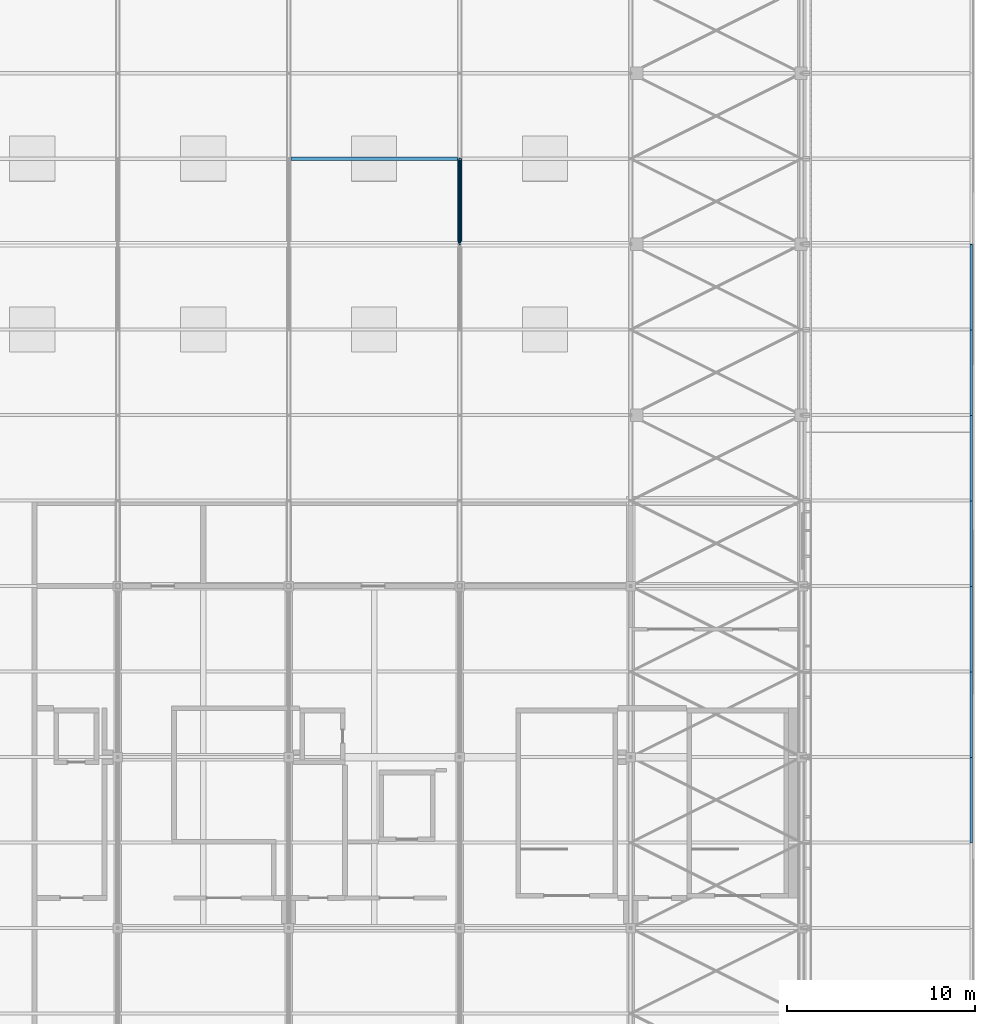
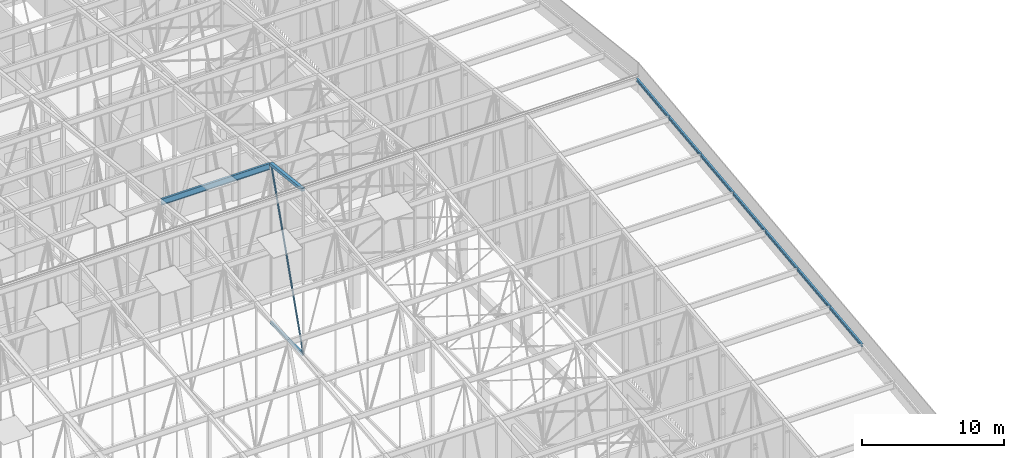
# One storey, part 368 of 500: 11 members.
"""IFC4 building model written with IfcOpenShell, lengths in metres."""

from ifc_helpers import new_model, si_unit, direction, frame, origin, origin_2d, place, context, subcontext, project, spatial, hollow_rectangle, hollow_circle, i_section, extrude, material, material_profile, profile_set, type_object, element, save


model = new_model("IFC4")

# Units and contexts
model_context = context("Model", 3, precision=1e-05, world=origin(), true_north=direction((0.0, 1.0)))
body_context = subcontext(model_context, "Body", "Model", "MODEL_VIEW")
ifc_project = project(units=[si_unit("LENGTHUNIT", "METRE"), si_unit("AREAUNIT", "SQUARE_METRE"), si_unit("VOLUMEUNIT", "CUBIC_METRE"), si_unit("PLANEANGLEUNIT", "RADIAN"), si_unit("MASSUNIT", "GRAM", prefix="KILO")], contexts=[model_context])

# Site, building, storey
site_placement = place(None, origin())
site = spatial("IfcSite", under=ifc_project, at=site_placement, CompositionType="ELEMENT")
building_placement = place(site_placement, origin())
building = spatial("IfcBuilding", under=site, at=building_placement, Name="Shirokan Park Arena", CompositionType="ELEMENT")
storey_placement = place(building_placement, frame((0.0, 0.0, 29.1201171875)))
storey = spatial("IfcBuildingStorey", under=building, at=storey_placement, Name="L06", CompositionType="ELEMENT", Elevation=29.1201171875)

# Members
ifc_material_1 = material(Name="Steel ASTM A500 Grade C", Category="steel")
ifc_material_profile_1 = material_profile(ifc_material_1, hollow_rectangle(XDim=0.152099609375, YDim=0.25390625, WallThickness=0.009521484375, at=origin_2d()), Name="HSS254X152.4X9.5")
ifc_profile_set_1 = profile_set([ifc_material_profile_1], Name="Steel ASTM A500 Grade C")
member_type_1 = type_object("IfcMemberType", Name="Bottom chord HSS254X152.4X9.5", PredefinedType="CHORD", material=ifc_profile_set_1)
member_1_placement = place(storey_placement, frame((127.39990234375, 54.60009765625, 4.677001953125), z_axis=(0.0, 1.0, 0.0), x_axis=(-1.0, 0.0, 0.0)))
element("IfcMember", 1, at=member_1_placement, inside=storey, type_object=member_type_1, Name="Truss T15 bottom chord 15", PredefinedType="CHORD", context=body_context, shape_type="SweptSolid", body=[
    extrude(hollow_rectangle(XDim=0.152099609375, YDim=0.25390625, WallThickness=0.009521484375, at=origin_2d()), origin(), (0.0, 0.0, 1.0), 4.5498046875),
])
ifc_material_2 = material(Name="Steel ASTM A992", Category="steel")
ifc_material_profile_2 = material_profile(ifc_material_2, i_section(OverallWidth=0.166015625, OverallDepth=0.528076171875, WebThickness=0.009765625, FlangeThickness=0.013671875, at=origin_2d()), Name="W530X74")
ifc_profile_set_2 = profile_set([ifc_material_profile_2], Name="Steel ASTM A992")
member_type_2 = type_object("IfcMemberType", Name="Purlin W530X74", PredefinedType="PURLIN", material=ifc_profile_set_2)
member_2_placement = place(storey_placement, frame((118.427001953125, 59.14990234375, 18.205810546875), z_axis=(1.0, 0.0, 0.0), x_axis=(0.0, 1.0, 0.0)))
element("IfcMember", 2, at=member_2_placement, inside=storey, type_object=member_type_2, Name="Purlin 16 bay 14", PredefinedType="PURLIN", context=body_context, shape_type="SweptSolid", body=[
    extrude(i_section(OverallWidth=0.166015625, OverallDepth=0.528076171875, WebThickness=0.009765625, FlangeThickness=0.013671875, at=origin_2d()), origin(), (0.0, 0.0, 1.0), 8.845947265625),
])
ifc_material_profile_3 = material_profile(ifc_material_2, i_section(OverallWidth=0.14794921875, OverallDepth=0.26708984375, WebThickness=0.007568359375, FlangeThickness=0.012939453125, at=origin_2d()), Name="W250X44.8")
ifc_profile_set_3 = profile_set([ifc_material_profile_3], Name="Steel ASTM A992")
member_type_3 = type_object("IfcMemberType", Name="Roof edge beam W250X44.8", PredefinedType="USERDEFINED", material=ifc_profile_set_3)
for number, where, z_axis, x_axis, name in (
    (3, (154.6259765625, 22.75, 15.21630859375), (0.0, 0.993532328996, 0.113549598152), (-1.0, 0.0, 0.0), "Roof edge beam E 8"),
    (4, (154.6259765625, 27.300048828125, 15.736328125), (0.0, 0.993532328996, 0.113549598152), (-1.0, 0.0, 0.0), "Roof edge beam E 9"),
):
    element("IfcMember", number, at=place(storey_placement, frame(where, z_axis=z_axis, x_axis=x_axis)), inside=storey, type_object=member_type_3, Name=name, ObjectType="ROOF EDGE BEAM", PredefinedType="USERDEFINED", context=body_context, shape_type="SweptSolid", body=[
        extrude(i_section(OverallWidth=0.14794921875, OverallDepth=0.26708984375, WebThickness=0.007568359375, FlangeThickness=0.012939453125, at=origin_2d()), origin(), (0.0, 0.0, 1.0), 4.57958984375),
    ])
member_3_placement = place(storey_placement, frame((154.6259765625, 31.85009765625, 16.25634765625), z_axis=(0.0, 0.993531641592, 0.11355561261), x_axis=(-1.0, 0.0, 0.0)))
element("IfcMember", 5, at=member_3_placement, inside=storey, type_object=member_type_3, Name="Roof edge beam E 10", ObjectType="ROOF EDGE BEAM", PredefinedType="USERDEFINED", context=body_context, shape_type="SweptSolid", body=[
    extrude(i_section(OverallWidth=0.14794921875, OverallDepth=0.26708984375, WebThickness=0.007568359375, FlangeThickness=0.012939453125, at=origin_2d()), origin(), (0.0, 0.0, 1.0), 4.579345703125),
])
for number, where, z_axis, x_axis, name in (
    (6, (154.6259765625, 36.39990234375, 16.7763671875), (0.0, 0.993532328996, 0.113549598152), (-1.0, 0.0, 0.0), "Roof edge beam E 11"),
    (7, (154.6259765625, 40.949951171875, 17.29638671875), (0.0, 0.993532328996, 0.113549598152), (-1.0, 0.0, 0.0), "Roof edge beam E 12"),
    (8, (154.6259765625, 45.5, 17.81640625), (0.0, 0.993532328996, 0.113549598152), (-1.0, 0.0, 0.0), "Roof edge beam E 13"),
    (9, (154.6259765625, 50.050048828125, 18.33642578125), (0.0, 0.993532328996, 0.113549598152), (-1.0, 0.0, 0.0), "Roof edge beam E 14"),
):
    element("IfcMember", number, at=place(storey_placement, frame(where, z_axis=z_axis, x_axis=x_axis)), inside=storey, type_object=member_type_3, Name=name, ObjectType="ROOF EDGE BEAM", PredefinedType="USERDEFINED", context=body_context, shape_type="SweptSolid", body=[
        extrude(i_section(OverallWidth=0.14794921875, OverallDepth=0.26708984375, WebThickness=0.007568359375, FlangeThickness=0.012939453125, at=origin_2d()), origin(), (0.0, 0.0, 1.0), 4.57958984375),
    ])
ifc_material_profile_4 = material_profile(ifc_material_1, hollow_rectangle(XDim=0.25390625, YDim=0.25390625, WallThickness=0.009521484375, at=origin_2d()), Name="HSS254X254X9.5")
ifc_profile_set_4 = profile_set([ifc_material_profile_4], Name="Steel ASTM A500 Grade C")
member_type_4 = type_object("IfcMemberType", Name="Top chord HSS254X254X9.5", PredefinedType="CHORD", material=ifc_profile_set_4)
member_4_placement = place(storey_placement, frame((127.39990234375, 54.60009765625, 18.86279296875), z_axis=(0.0, 0.993531641592, -0.11355561261), x_axis=(-1.0, 0.0, 0.0)))
element("IfcMember", 10, at=member_4_placement, inside=storey, type_object=member_type_4, Name="Truss T15 top chord 15", PredefinedType="CHORD", context=body_context, shape_type="SweptSolid", body=[
    extrude(hollow_rectangle(XDim=0.25390625, YDim=0.25390625, WallThickness=0.009521484375, at=origin_2d()), origin(), (0.0, 0.0, 1.0), 4.579345703125),
])
ifc_material_profile_5 = material_profile(ifc_material_1, hollow_circle(Radius=0.070556640625, WallThickness=0.006591796875, at=origin_2d()), Name="HSS141.3X6.6")
ifc_profile_set_5 = profile_set([ifc_material_profile_5], Name="Steel ASTM A500 Grade C")
member_type_5 = type_object("IfcMemberType", Name="Truss diagonal HSS141.3X6.6", PredefinedType="BRACE", material=ifc_profile_set_5)
member_5_placement = place(storey_placement, frame((127.39990234375, 54.60009765625, 4.677001953125), z_axis=(0.0, 0.315887043243, 0.948796804332), x_axis=(-1.0, 0.0, 0.0)))
element("IfcMember", 11, at=member_5_placement, inside=storey, type_object=member_type_5, Name="Truss T15 diagonal 15", PredefinedType="BRACE", context=body_context, shape_type="SweptSolid", body=[
    extrude(hollow_circle(Radius=0.070556640625, WallThickness=0.006591796875, at=origin_2d()), origin(), (0.0, 0.0, 1.0), 14.4033203125),
])

save(model, "model.ifc")
